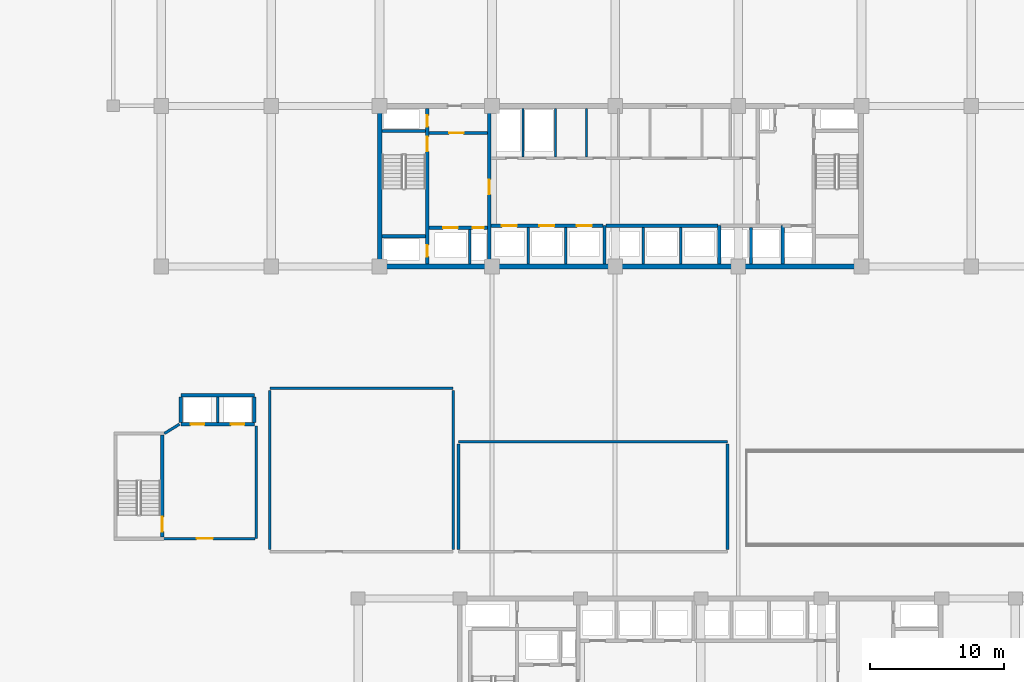
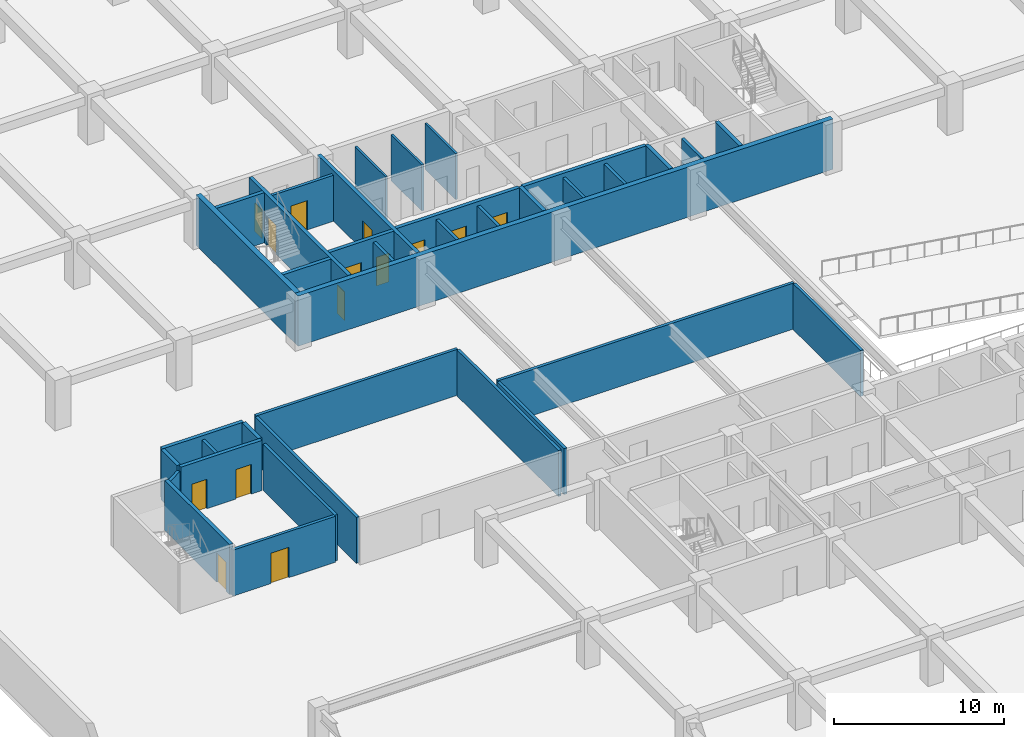
# One storey, part 9 of 22: 37 walls, 14 doors, 14 openings.
"""IFC4 building model written with IfcOpenShell, lengths in metres."""

from ifc_helpers import new_model, si_unit, direction, frame, frame_2d, origin, place, context, subcontext, project, spatial, rectangle, extrude, material, layer, layer_set, type_object, element, fill, save


model = new_model("IFC4")

# Units and contexts
model_context = context("Model", 3, precision=1e-05, world=origin(), true_north=direction((0.0, 1.0)))
body_context = subcontext(model_context, "Body", "Model", "MODEL_VIEW")
ifc_project = project(units=[si_unit("LENGTHUNIT", "METRE"), si_unit("AREAUNIT", "SQUARE_METRE"), si_unit("VOLUMEUNIT", "CUBIC_METRE"), si_unit("PLANEANGLEUNIT", "RADIAN"), si_unit("MASSUNIT", "GRAM", prefix="KILO")], contexts=[model_context])

# Site, building, storey
site_placement = place(None, origin())
site = spatial("IfcSite", under=ifc_project, at=site_placement, CompositionType="ELEMENT")
building_placement = place(site_placement, origin())
building = spatial("IfcBuilding", under=site, at=building_placement, Name="Korimba Cascade Residences", CompositionType="ELEMENT")
storey_placement = place(building_placement, frame((0.0, 0.0, -7.199951171875)))
storey = spatial("IfcBuildingStorey", under=building, at=storey_placement, Name="B02", CompositionType="ELEMENT", Elevation=-7.199951171875)

# Walls
ifc_material_1 = material(Name="Concrete C65/80", Category="concrete")
ifc_layer_1 = layer(ifc_material_1, 0.35009765625)
ifc_layer_set_1 = layer_set([ifc_layer_1], Name="Concrete C65/80")
wall_type_1 = type_object("IfcWallType", Name="WAL-CORE-350", PredefinedType="SHEAR", material=ifc_layer_set_1)
wall_1_placement = place(storey_placement, frame((75.949951171875, 55.199951171875, 0.0), z_axis=(0.0, 0.0, 1.0), x_axis=(1.0, 0.0, 0.0)))
element("IfcWall", 1, at=wall_1_placement, inside=storey, type_object=wall_type_1, Name="B02 Core Shear Wall CW-B02-T1-S", PredefinedType="SHEAR", context=body_context, shape_type="SweptSolid", body=[
    extrude(rectangle(XDim=36.300048828125, YDim=0.35009765625, at=frame_2d((18.14990234375, 0.0))), origin(), (0.0, 0.0, 1.0), 3.599853515625),
])
wall_2_placement = place(storey_placement, frame((76.125, 55.375, 0.0), z_axis=(0.0, 0.0, 1.0), x_axis=(0.0, 1.0, 0.0)))
element("IfcWall", 2, at=wall_2_placement, inside=storey, type_object=wall_type_1, Name="B02 Core Shear Wall CW-B02-T1-W", PredefinedType="SHEAR", context=body_context, shape_type="SweptSolid", body=[
    extrude(rectangle(XDim=11.64990234375, YDim=0.35009765625, at=frame_2d((5.824951171875, 0.0))), origin(), (0.0, 0.0, 1.0), 3.599853515625),
])
ifc_material_2 = material(Name="Insulated Acoustic Stud Partition", Category="gypsum")
ifc_layer_2 = layer(ifc_material_2, 0.14990234375)
ifc_layer_set_2 = layer_set([ifc_layer_2], Name="Insulated Acoustic Stud Partition")
wall_type_2 = type_object("IfcWallType", Name="WAL-PART-150", PredefinedType="PARTITIONING", material=ifc_layer_set_2)
for number, where, z_axis, x_axis, name in (
    (3, (86.800048828125, 63.39990234375, 0.0), (0.0, 0.0, 1.0), (0.0, 1.0, 0.0), "B02 Partition Wall CW-B02-T1-ERDIV"),
    (4, (89.25, 63.39990234375, 0.0), (0.0, 0.0, 1.0), (0.0, 1.0, 0.0), "B02 Partition Wall CW-B02-T1-PRDIV"),
    (5, (91.550048828125, 63.39990234375, 0.0), (0.0, 0.0, 1.0), (0.0, 1.0, 0.0), "B02 Partition Wall CW-B02-T1-CA1W1"),
):
    element("IfcWall", number, at=place(storey_placement, frame(where, z_axis=z_axis, x_axis=x_axis)), inside=storey, type_object=wall_type_2, Name=name, PredefinedType="PARTITIONING", context=body_context, shape_type="SweptSolid", body=[
        extrude(rectangle(XDim=3.60009765625, YDim=0.14990234375, at=frame_2d((1.800048828125, 0.0))), origin(), (0.0, 0.0, 1.0), 3.300048828125),
    ])
ifc_material_3 = material(Name="Concrete C40/50", Category="concrete")
ifc_layer_3 = layer(ifc_material_3, 0.199951171875)
ifc_layer_set_3 = layer_set([ifc_layer_3], Name="Concrete C40/50")
wall_type_3 = type_object("IfcWallType", Name="WAL-PART-200", PredefinedType="PARTITIONING", material=ifc_layer_set_3)
wall_3_placement = place(storey_placement, frame((82.85009765625, 55.39990234375, 0.0), z_axis=(0.0, 0.0, 1.0), x_axis=(0.0, 1.0, 0.0)))
element("IfcWall", 6, at=wall_3_placement, inside=storey, type_object=wall_type_3, Name="B02 Partition Wall CW-B02-T1-FFLDIV", PredefinedType="PARTITIONING", context=body_context, shape_type="SweptSolid", body=[
    extrude(rectangle(XDim=2.56005859375, YDim=0.199951171875, at=frame_2d((1.280029296875, 0.0))), origin(), (0.0, 0.0, 1.0), 3.300048828125),
])

# Wall, opening, door
wall_4_placement = place(storey_placement, frame((79.7900390625, 65.179931640625, 0.0), z_axis=(0.0, 0.0, 1.0), x_axis=(1.0, 0.0, 0.0)))
wall_4 = element("IfcWall", 7, at=wall_4_placement, inside=storey, type_object=wall_type_3, Name="B02 Partition Wall CW-B02-T1-FFLN", PredefinedType="PARTITIONING", context=body_context, shape_type="SweptSolid", body=[
    extrude(rectangle(XDim=4.389892578125, YDim=0.199951171875, at=frame_2d((2.19482421875, 0.0))), origin(), (0.0, 0.0, 1.0), 3.300048828125),
])
opening_1_placement = place(wall_4_placement, frame((1.5, 0.0, 0.0)))
opening_1 = element("IfcOpeningElement", 8, at=opening_1_placement, cuts=wall_4, Name="Opening D-FD1", PredefinedType="OPENING", context=body_context, shape_type="SweptSolid", body=[
    extrude(rectangle(XDim=1.10009765625, YDim=2.10009765625, at=frame_2d((0.550048828125, 1.050048828125))), frame((0.0, 0.10986328125, 0.0), z_axis=(0.0, -1.0, 0.0), x_axis=(1.0, 0.0, 0.0)), (0.0, 0.0, 1.0), 0.219970703125),
])
ifc_material_4 = material(Name="Fire-Rated Steel Core Door", Category="steel")
door_type_1 = type_object("IfcDoorType", Name="DR-FD120-1100", OperationType="NOTDEFINED", PredefinedType="DOOR", material=ifc_material_4)
door_1_placement = place(opening_1_placement, origin())
door_1 = element("IfcDoor", 9, at=door_1_placement, inside=storey, type_object=door_type_1, Name="B02 West Firefighting Lobby Door", OperationType="SINGLE_SWING_LEFT", OverallHeight=2.10009765625, OverallWidth=1.10009765625, PredefinedType="DOOR", context=body_context, shape_type="SweptSolid", body=[
    extrude(rectangle(XDim=1.10009765625, YDim=2.10009765625, at=frame_2d((0.550048828125, 1.050048828125))), frame((0.0, 0.02490234375, 0.0), z_axis=(0.0, -1.0, 0.0), x_axis=(1.0, 0.0, 0.0)), (0.0, 0.0, 1.0), 0.050048828125),
])
fill(opening_1, door_1)

# Walls
for number, where, z_axis, x_axis, name in (
    (10, (87.199951171875, 55.39990234375, 0.0), (0.0, 0.0, 1.0), (0.0, 1.0, 0.0), "B02 Partition Wall CW-B02-T1-B1D1"),
    (11, (90.0, 55.39990234375, 0.0), (0.0, 0.0, 1.0), (0.0, 1.0, 0.0), "B02 Partition Wall CW-B02-T1-B1D2"),
    (12, (95.800048828125, 55.39990234375, 0.0), (0.0, 0.0, 1.0), (0.0, 1.0, 0.0), "B02 Partition Wall CW-B02-T1-B2D1"),
    (13, (98.60009765625, 55.39990234375, 0.0), (0.0, 0.0, 1.0), (0.0, 1.0, 0.0), "B02 Partition Wall CW-B02-T1-B2D2"),
    (14, (103.85009765625, 55.39990234375, 0.0), (0.0, 0.0, 1.0), (0.0, 1.0, 0.0), "B02 Partition Wall CW-B02-T1-B3D1"),
):
    element("IfcWall", number, at=place(storey_placement, frame(where, z_axis=z_axis, x_axis=x_axis)), inside=storey, type_object=wall_type_3, Name=name, PredefinedType="PARTITIONING", context=body_context, shape_type="SweptSolid", body=[
        extrude(rectangle(XDim=2.72021484375, YDim=0.199951171875, at=frame_2d((1.360107421875, 0.0))), origin(), (0.0, 0.0, 1.0), 3.300048828125),
    ])
wall_5_placement = place(storey_placement, frame((64.0, 43.550048828125, 0.0), z_axis=(0.0, 0.0, 1.0), x_axis=(0.0, 1.0, 0.0)))
element("IfcWall", 15, at=wall_5_placement, inside=storey, type_object=wall_type_3, Name="B02 Partition Wall CW-B02-SHPM", PredefinedType="PARTITIONING", context=body_context, shape_type="SweptSolid", body=[
    extrude(rectangle(XDim=1.89990234375, YDim=0.199951171875, at=frame_2d((0.949951171875, 0.0))), origin(), (0.0, 0.0, 1.0), 3.300048828125),
])

# Wall, opening, door
wall_6_placement = place(storey_placement, frame((59.840087890625, 34.875, 0.0), z_axis=(0.0, 0.0, 1.0), x_axis=(1.0, 0.0, 0.0)))
wall_6 = element("IfcWall", 16, at=wall_6_placement, inside=storey, type_object=wall_type_3, Name="B02 Partition Wall CW-B02-PLOBS", PredefinedType="PARTITIONING", context=body_context, shape_type="SweptSolid", body=[
    extrude(rectangle(XDim=6.9599609375, YDim=0.199951171875, at=frame_2d((3.47998046875, 0.0))), origin(), (0.0, 0.0, 1.0), 3.300048828125),
])
opening_2_placement = place(wall_6_placement, frame((2.60009765625, 0.0, 0.0)))
opening_2 = element("IfcOpeningElement", 17, at=opening_2_placement, cuts=wall_6, Name="Opening D-FD7", PredefinedType="OPENING", context=body_context, shape_type="SweptSolid", body=[
    extrude(rectangle(XDim=1.199951171875, YDim=2.179931640625, at=frame_2d((0.60009765625, 1.08984375))), frame((0.0, 0.10986328125, 0.0), z_axis=(0.0, -1.0, 0.0), x_axis=(1.0, 0.0, 0.0)), (0.0, 0.0, 1.0), 0.219970703125),
])
ifc_material_5 = material(Name="Fire-Rated Shuttle Lobby Door", Category="wood")
door_type_2 = type_object("IfcDoorType", Name="DR-FD90-1200", OperationType="NOTDEFINED", PredefinedType="DOOR", material=ifc_material_5)
door_2_placement = place(opening_2_placement, origin())
door_2 = element("IfcDoor", 18, at=door_2_placement, inside=storey, type_object=door_type_2, Name="B02 Shuttle Lobby Door", OperationType="SINGLE_SWING_LEFT", OverallHeight=2.179931640625, OverallWidth=1.199951171875, PredefinedType="DOOR", context=body_context, shape_type="SweptSolid", body=[
    extrude(rectangle(XDim=1.199951171875, YDim=2.179931640625, at=frame_2d((0.60009765625, 1.08984375))), frame((0.0, 0.02490234375, 0.0), z_axis=(0.0, -1.0, 0.0), x_axis=(1.0, 0.0, 0.0)), (0.0, 0.0, 1.0), 0.050048828125),
])
fill(opening_2, door_2)

# Walls
wall_7_placement = place(storey_placement, frame((66.89990234375, 34.875, 0.0), z_axis=(0.0, 0.0, 1.0), x_axis=(0.0, 1.0, 0.0)))
element("IfcWall", 19, at=wall_7_placement, inside=storey, type_object=wall_type_3, Name="B02 Partition Wall CW-B02-PLOBE", PredefinedType="PARTITIONING", context=body_context, shape_type="SweptSolid", body=[
    extrude(rectangle(XDim=8.425048828125, YDim=0.199951171875, at=frame_2d((4.21240234375, 0.0))), origin(), (0.0, 0.0, 1.0), 3.300048828125),
])
wall_8_placement = place(storey_placement, frame((60.02001953125, 42.72509765625, 0.0), z_axis=(0.0, 0.0, 1.0), x_axis=(0.851822584555, 0.523830396638, 0.0)))
element("IfcWall", 20, at=wall_8_placement, inside=storey, type_object=wall_type_3, Name="B02 Partition Wall CW-B02-PLOBN", PredefinedType="PARTITIONING", context=body_context, shape_type="SweptSolid", body=[
    extrude(rectangle(XDim=1.326416015625, YDim=0.199951171875, at=frame_2d((0.6630859375, 0.0))), origin(), (0.0, 0.0, 1.0), 3.300048828125),
])
wall_9_placement = place(storey_placement, frame((67.89990234375, 46.10009765625, 0.0), z_axis=(0.0, 0.0, 1.0), x_axis=(1.0, 0.0, 0.0)))
element("IfcWall", 21, at=wall_9_placement, inside=storey, type_object=wall_type_3, Name="B02 Partition Wall WAL-B02-PMPN", PredefinedType="PARTITIONING", context=body_context, shape_type="SweptSolid", body=[
    extrude(rectangle(XDim=13.7001953125, YDim=0.199951171875, at=frame_2d((6.85009765625, 0.0))), origin(), (0.0, 0.0, 1.0), 3.300048828125),
])
for number, where, z_axis, x_axis, name in (
    (22, (67.89990234375, 34.050048828125, 0.0), (0.0, 0.0, 1.0), (0.0, 1.0, 0.0), "B02 Partition Wall WAL-B02-PMPW"),
    (23, (81.60009765625, 34.050048828125, 0.0), (0.0, 0.0, 1.0), (0.0, 1.0, 0.0), "B02 Partition Wall WAL-B02-PMPE"),
):
    element("IfcWall", number, at=place(storey_placement, frame(where, z_axis=z_axis, x_axis=x_axis)), inside=storey, type_object=wall_type_3, Name=name, PredefinedType="PARTITIONING", context=body_context, shape_type="SweptSolid", body=[
        extrude(rectangle(XDim=11.89990234375, YDim=0.199951171875, at=frame_2d((5.949951171875, 0.0))), origin(), (0.0, 0.0, 1.0), 3.300048828125),
    ])
wall_10_placement = place(storey_placement, frame((82.0, 42.10009765625, 0.0), z_axis=(0.0, 0.0, 1.0), x_axis=(1.0, 0.0, 0.0)))
element("IfcWall", 24, at=wall_10_placement, inside=storey, type_object=wall_type_3, Name="B02 Partition Wall WAL-B02-HVSN", PredefinedType="PARTITIONING", context=body_context, shape_type="SweptSolid", body=[
    extrude(rectangle(XDim=20.10009765625, YDim=0.199951171875, at=frame_2d((10.050048828125, 0.0))), origin(), (0.0, 0.0, 1.0), 3.300048828125),
])
for number, where, z_axis, x_axis, name in (
    (25, (82.0, 34.050048828125, 0.0), (0.0, 0.0, 1.0), (0.0, 1.0, 0.0), "B02 Partition Wall WAL-B02-HVSW"),
    (26, (102.10009765625, 34.050048828125, 0.0), (0.0, 0.0, 1.0), (0.0, 1.0, 0.0), "B02 Partition Wall WAL-B02-HVSE"),
):
    element("IfcWall", number, at=place(storey_placement, frame(where, z_axis=z_axis, x_axis=x_axis)), inside=storey, type_object=wall_type_3, Name=name, PredefinedType="PARTITIONING", context=body_context, shape_type="SweptSolid", body=[
        extrude(rectangle(XDim=7.89990234375, YDim=0.199951171875, at=frame_2d((3.949951171875, 0.0))), origin(), (0.0, 0.0, 1.0), 3.300048828125),
    ])

# Wall, openings, doors
ifc_material_6 = material(Name="Concrete C50/60", Category="concrete")
ifc_layer_4 = layer(ifc_material_6, 0.25)
ifc_layer_set_4 = layer_set([ifc_layer_4], Name="Concrete C50/60")
wall_type_4 = type_object("IfcWallType", Name="WAL-SHAFT-250", PredefinedType="SHEAR", material=ifc_layer_set_4)
wall_11_placement = place(storey_placement, frame((79.6650390625, 55.39990234375, 0.0), z_axis=(0.0, 0.0, 1.0), x_axis=(0.0, 1.0, 0.0)))
wall_11 = element("IfcWall", 27, at=wall_11_placement, inside=storey, type_object=wall_type_4, Name="B02 Core Shear Wall CW-B02-T1-STW1E", PredefinedType="SHEAR", context=body_context, shape_type="SweptSolid", body=[
    extrude(rectangle(XDim=11.60009765625, YDim=0.25, at=frame_2d((5.800048828125, 0.0))), origin(), (0.0, 0.0, 1.0), 3.599853515625),
])
opening_3_placement = place(wall_11_placement, frame((0.550048828125, 0.0, 0.0)))
opening_3 = element("IfcOpeningElement", 28, at=opening_3_placement, cuts=wall_11, Name="Opening D-RS1", PredefinedType="OPENING", context=body_context, shape_type="SweptSolid", body=[
    extrude(rectangle(XDim=0.85009765625, YDim=2.050048828125, at=frame_2d((0.425048828125, 1.02490234375))), frame((0.0, 0.135009765625, 0.0), z_axis=(0.0, -1.0, 0.0), x_axis=(1.0, 0.0, 0.0)), (0.0, 0.0, 1.0), 0.27001953125),
])
opening_4_placement = place(wall_11_placement, frame((8.39990234375, 0.0, 0.0)))
opening_4 = element("IfcOpeningElement", 29, at=opening_4_placement, cuts=wall_11, Name="Opening D-FD1", PredefinedType="OPENING", context=body_context, shape_type="SweptSolid", body=[
    extrude(rectangle(XDim=1.10009765625, YDim=2.10009765625, at=frame_2d((0.550048828125, 1.050048828125))), frame((0.0, 0.135009765625, 0.0), z_axis=(0.0, -1.0, 0.0), x_axis=(1.0, 0.0, 0.0)), (0.0, 0.0, 1.0), 0.27001953125),
])
opening_5_placement = place(wall_11_placement, frame((10.25, 0.0, 0.0)))
opening_5 = element("IfcOpeningElement", 30, at=opening_5_placement, cuts=wall_11, Name="Opening D-RS1", PredefinedType="OPENING", context=body_context, shape_type="SweptSolid", body=[
    extrude(rectangle(XDim=0.85009765625, YDim=2.050048828125, at=frame_2d((0.425048828125, 1.02490234375))), frame((0.0, 0.135009765625, 0.0), z_axis=(0.0, -1.0, 0.0), x_axis=(1.0, 0.0, 0.0)), (0.0, 0.0, 1.0), 0.27001953125),
])
door_3_placement = place(opening_4_placement, origin())
door_3 = element("IfcDoor", 31, at=door_3_placement, inside=storey, type_object=door_type_1, Name="B02 Fire Stair ST-W1 Door", OperationType="SINGLE_SWING_RIGHT", OverallHeight=2.10009765625, OverallWidth=1.10009765625, PredefinedType="DOOR", context=body_context, shape_type="SweptSolid", body=[
    extrude(rectangle(XDim=1.10009765625, YDim=2.10009765625, at=frame_2d((0.550048828125, 1.050048828125))), frame((0.0, 0.02490234375, 0.0), z_axis=(0.0, -1.0, 0.0), x_axis=(1.0, 0.0, 0.0)), (0.0, 0.0, 1.0), 0.050048828125),
])
fill(opening_4, door_3)
ifc_material_7 = material(Name="Fire-Rated Steel Riser Access Door", Category="steel")
door_type_3 = type_object("IfcDoorType", Name="DR-FD60-850", OperationType="NOTDEFINED", PredefinedType="DOOR", material=ifc_material_7)
door_4_placement = place(opening_3_placement, origin())
door_4 = element("IfcDoor", 32, at=door_4_placement, inside=storey, type_object=door_type_3, Name="B02 Smoke Riser Access Door", OperationType="SINGLE_SWING_LEFT", OverallHeight=2.050048828125, OverallWidth=0.85009765625, PredefinedType="DOOR", context=body_context, shape_type="SweptSolid", body=[
    extrude(rectangle(XDim=0.85009765625, YDim=2.050048828125, at=frame_2d((0.425048828125, 1.02490234375))), frame((0.0, 0.02490234375, 0.0), z_axis=(0.0, -1.0, 0.0), x_axis=(1.0, 0.0, 0.0)), (0.0, 0.0, 1.0), 0.050048828125),
])
fill(opening_3, door_4)
door_5_placement = place(opening_5_placement, origin())
door_5 = element("IfcDoor", 33, at=door_5_placement, inside=storey, type_object=door_type_3, Name="B02 Hydrant Riser Access Door", OperationType="SINGLE_SWING_LEFT", OverallHeight=2.050048828125, OverallWidth=0.85009765625, PredefinedType="DOOR", context=body_context, shape_type="SweptSolid", body=[
    extrude(rectangle(XDim=0.85009765625, YDim=2.050048828125, at=frame_2d((0.425048828125, 1.02490234375))), frame((0.0, 0.02490234375, 0.0), z_axis=(0.0, -1.0, 0.0), x_axis=(1.0, 0.0, 0.0)), (0.0, 0.0, 1.0), 0.050048828125),
])
fill(opening_5, door_5)

# Walls
for number, where, z_axis, x_axis, name in (
    (34, (76.300048828125, 57.47509765625, 0.0), (0.0, 0.0, 1.0), (1.0, 0.0, 0.0), "B02 Core Shear Wall CW-B02-T1-STW1S"),
    (35, (76.300048828125, 65.324951171875, 0.0), (0.0, 0.0, 1.0), (1.0, 0.0, 0.0), "B02 Core Shear Wall CW-B02-T1-STW1N"),
):
    element("IfcWall", number, at=place(storey_placement, frame(where, z_axis=z_axis, x_axis=x_axis)), inside=storey, type_object=wall_type_4, Name=name, PredefinedType="SHEAR", context=body_context, shape_type="SweptSolid", body=[
        extrude(rectangle(XDim=3.239990234375, YDim=0.25, at=frame_2d((1.6201171875, 0.0))), origin(), (0.0, 0.0, 1.0), 3.599853515625),
    ])

# Wall, openings, doors
wall_12_placement = place(storey_placement, frame((79.7900390625, 58.10009765625, 0.0), z_axis=(0.0, 0.0, 1.0), x_axis=(1.0, 0.0, 0.0)))
wall_12 = element("IfcWall", 36, at=wall_12_placement, inside=storey, type_object=wall_type_4, Name="B02 Core Shear Wall CW-B02-T1-FFLS", PredefinedType="SHEAR", context=body_context, shape_type="SweptSolid", body=[
    extrude(rectangle(XDim=4.389892578125, YDim=0.25, at=frame_2d((2.19482421875, 0.0))), origin(), (0.0, 0.0, 1.0), 3.599853515625),
])
opening_6_placement = place(wall_12_placement, frame((1.050048828125, 0.0, 0.0)))
opening_6 = element("IfcOpeningElement", 37, at=opening_6_placement, cuts=wall_12, Name="Opening LD-01", PredefinedType="OPENING", context=body_context, shape_type="SweptSolid", body=[
    extrude(rectangle(XDim=1.1201171875, YDim=2.1201171875, at=frame_2d((0.56005859375, 1.06005859375))), frame((0.0, 0.135009765625, 0.0), z_axis=(0.0, -1.0, 0.0), x_axis=(1.0, 0.0, 0.0)), (0.0, 0.0, 1.0), 0.27001953125),
])
opening_7_placement = place(wall_12_placement, frame((3.260009765625, 0.0, 0.0)))
opening_7 = element("IfcOpeningElement", 38, at=opening_7_placement, cuts=wall_12, Name="Opening D-RS1", PredefinedType="OPENING", context=body_context, shape_type="SweptSolid", body=[
    extrude(rectangle(XDim=0.85009765625, YDim=2.050048828125, at=frame_2d((0.425048828125, 1.02490234375))), frame((0.0, 0.135009765625, 0.0), z_axis=(0.0, -1.0, 0.0), x_axis=(1.0, 0.0, 0.0)), (0.0, 0.0, 1.0), 0.27001953125),
])
door_6_placement = place(opening_7_placement, origin())
door_6 = element("IfcDoor", 39, at=door_6_placement, inside=storey, type_object=door_type_3, Name="B02 Pressurisation Riser Door", OperationType="SINGLE_SWING_RIGHT", OverallHeight=2.050048828125, OverallWidth=0.85009765625, PredefinedType="DOOR", context=body_context, shape_type="SweptSolid", body=[
    extrude(rectangle(XDim=0.85009765625, YDim=2.050048828125, at=frame_2d((0.425048828125, 1.02490234375))), frame((0.0, 0.02490234375, 0.0), z_axis=(0.0, -1.0, 0.0), x_axis=(1.0, 0.0, 0.0)), (0.0, 0.0, 1.0), 0.050048828125),
])
fill(opening_7, door_6)
ifc_material_8 = material(Name="Stainless Steel Lift Landing Sliding Door", Category="steel")
door_type_4 = type_object("IfcDoorType", Name="DR-LIFT-1100", OperationType="NOTDEFINED", PredefinedType="DOOR", material=ifc_material_8)
door_7_placement = place(opening_6_placement, origin())
door_7 = element("IfcDoor", 40, at=door_7_placement, inside=storey, type_object=door_type_4, Name="B02 Firefighting Lift Landing Door FFL-W1", OperationType="SLIDING_TO_LEFT", OverallHeight=2.1201171875, OverallWidth=1.1201171875, PredefinedType="DOOR", context=body_context, shape_type="SweptSolid", body=[
    extrude(rectangle(XDim=1.1201171875, YDim=2.1201171875, at=frame_2d((0.56005859375, 1.06005859375))), frame((0.0, 0.02490234375, 0.0), z_axis=(0.0, -1.0, 0.0), x_axis=(1.0, 0.0, 0.0)), (0.0, 0.0, 1.0), 0.050048828125),
])
fill(opening_6, door_7)

# Wall, opening, door
wall_13_placement = place(storey_placement, frame((84.300048828125, 55.39990234375, 0.0), z_axis=(0.0, 0.0, 1.0), x_axis=(0.0, 1.0, 0.0)))
wall_13 = element("IfcWall", 41, at=wall_13_placement, inside=storey, type_object=wall_type_4, Name="B02 Core Shear Wall CW-B02-T1-FFLE", PredefinedType="SHEAR", context=body_context, shape_type="SweptSolid", body=[
    extrude(rectangle(XDim=11.60009765625, YDim=0.25, at=frame_2d((5.800048828125, 0.0))), origin(), (0.0, 0.0, 1.0), 3.599853515625),
])
opening_8_placement = place(wall_13_placement, frame((5.199951171875, 0.0, 0.0)))
opening_8 = element("IfcOpeningElement", 42, at=opening_8_placement, cuts=wall_13, Name="Opening D-FD1", PredefinedType="OPENING", context=body_context, shape_type="SweptSolid", body=[
    extrude(rectangle(XDim=1.10009765625, YDim=2.10009765625, at=frame_2d((0.550048828125, 1.050048828125))), frame((0.0, 0.135009765625, 0.0), z_axis=(0.0, -1.0, 0.0), x_axis=(1.0, 0.0, 0.0)), (0.0, 0.0, 1.0), 0.27001953125),
])
door_8_placement = place(opening_8_placement, origin())
door_8 = element("IfcDoor", 43, at=door_8_placement, inside=storey, type_object=door_type_1, Name="B02 Firefighting Lobby to Lift Lobby Door", OperationType="SINGLE_SWING_RIGHT", OverallHeight=2.10009765625, OverallWidth=1.10009765625, PredefinedType="DOOR", context=body_context, shape_type="SweptSolid", body=[
    extrude(rectangle(XDim=1.10009765625, YDim=2.10009765625, at=frame_2d((0.550048828125, 1.050048828125))), frame((0.0, 0.02490234375, 0.0), z_axis=(0.0, -1.0, 0.0), x_axis=(1.0, 0.0, 0.0)), (0.0, 0.0, 1.0), 0.050048828125),
])
fill(opening_8, door_8)

# Wall, openings, doors
wall_14_placement = place(storey_placement, frame((84.419921875, 58.25, 0.0), z_axis=(0.0, 0.0, 1.0), x_axis=(1.0, 0.0, 0.0)))
wall_14 = element("IfcWall", 44, at=wall_14_placement, inside=storey, type_object=wall_type_4, Name="B02 Core Shear Wall CW-B02-T1-B1N", PredefinedType="SHEAR", context=body_context, shape_type="SweptSolid", body=[
    extrude(rectangle(XDim=8.360107421875, YDim=0.25, at=frame_2d((4.18017578125, 0.0))), origin(), (0.0, 0.0, 1.0), 3.599853515625),
])
opening_9_placement = place(wall_14_placement, frame((0.820068359375, 0.0, 0.0)))
opening_9 = element("IfcOpeningElement", 45, at=opening_9_placement, cuts=wall_14, Name="Opening LD-01", PredefinedType="OPENING", context=body_context, shape_type="SweptSolid", body=[
    extrude(rectangle(XDim=1.1201171875, YDim=2.1201171875, at=frame_2d((0.56005859375, 1.06005859375))), frame((0.0, 0.135009765625, 0.0), z_axis=(0.0, -1.0, 0.0), x_axis=(1.0, 0.0, 0.0)), (0.0, 0.0, 1.0), 0.27001953125),
])
opening_10_placement = place(wall_14_placement, frame((3.6201171875, 0.0, 0.0)))
opening_10 = element("IfcOpeningElement", 46, at=opening_10_placement, cuts=wall_14, Name="Opening LD-01", PredefinedType="OPENING", context=body_context, shape_type="SweptSolid", body=[
    extrude(rectangle(XDim=1.1201171875, YDim=2.1201171875, at=frame_2d((0.56005859375, 1.06005859375))), frame((0.0, 0.135009765625, 0.0), z_axis=(0.0, -1.0, 0.0), x_axis=(1.0, 0.0, 0.0)), (0.0, 0.0, 1.0), 0.27001953125),
])
opening_11_placement = place(wall_14_placement, frame((6.419921875, 0.0, 0.0)))
opening_11 = element("IfcOpeningElement", 47, at=opening_11_placement, cuts=wall_14, Name="Opening LD-01", PredefinedType="OPENING", context=body_context, shape_type="SweptSolid", body=[
    extrude(rectangle(XDim=1.1201171875, YDim=2.1201171875, at=frame_2d((0.56005859375, 1.06005859375))), frame((0.0, 0.135009765625, 0.0), z_axis=(0.0, -1.0, 0.0), x_axis=(1.0, 0.0, 0.0)), (0.0, 0.0, 1.0), 0.27001953125),
])
door_9_placement = place(opening_9_placement, origin())
door_9 = element("IfcDoor", 48, at=door_9_placement, inside=storey, type_object=door_type_4, Name="B02 Lift Landing Door PL-W1", OperationType="SLIDING_TO_LEFT", OverallHeight=2.1201171875, OverallWidth=1.1201171875, PredefinedType="DOOR", context=body_context, shape_type="SweptSolid", body=[
    extrude(rectangle(XDim=1.1201171875, YDim=2.1201171875, at=frame_2d((0.56005859375, 1.06005859375))), frame((0.0, 0.02490234375, 0.0), z_axis=(0.0, -1.0, 0.0), x_axis=(1.0, 0.0, 0.0)), (0.0, 0.0, 1.0), 0.050048828125),
])
fill(opening_9, door_9)
door_10_placement = place(opening_10_placement, origin())
door_10 = element("IfcDoor", 49, at=door_10_placement, inside=storey, type_object=door_type_4, Name="B02 Lift Landing Door PL-W2", OperationType="SLIDING_TO_LEFT", OverallHeight=2.1201171875, OverallWidth=1.1201171875, PredefinedType="DOOR", context=body_context, shape_type="SweptSolid", body=[
    extrude(rectangle(XDim=1.1201171875, YDim=2.1201171875, at=frame_2d((0.56005859375, 1.06005859375))), frame((0.0, 0.02490234375, 0.0), z_axis=(0.0, -1.0, 0.0), x_axis=(1.0, 0.0, 0.0)), (0.0, 0.0, 1.0), 0.050048828125),
])
fill(opening_10, door_10)
door_11_placement = place(opening_11_placement, origin())
door_11 = element("IfcDoor", 50, at=door_11_placement, inside=storey, type_object=door_type_4, Name="B02 Lift Landing Door PL-W3", OperationType="SLIDING_TO_LEFT", OverallHeight=2.1201171875, OverallWidth=1.1201171875, PredefinedType="DOOR", context=body_context, shape_type="SweptSolid", body=[
    extrude(rectangle(XDim=1.1201171875, YDim=2.1201171875, at=frame_2d((0.56005859375, 1.06005859375))), frame((0.0, 0.02490234375, 0.0), z_axis=(0.0, -1.0, 0.0), x_axis=(1.0, 0.0, 0.0)), (0.0, 0.0, 1.0), 0.050048828125),
])
fill(opening_11, door_11)

# Walls
wall_15_placement = place(storey_placement, frame((92.89990234375, 55.39990234375, 0.0), z_axis=(0.0, 0.0, 1.0), x_axis=(0.0, 1.0, 0.0)))
element("IfcWall", 51, at=wall_15_placement, inside=storey, type_object=wall_type_4, Name="B02 Core Shear Wall CW-B02-T1-B12DIV", PredefinedType="SHEAR", context=body_context, shape_type="SweptSolid", body=[
    extrude(rectangle(XDim=2.85009765625, YDim=0.25, at=frame_2d((1.425048828125, 0.0))), origin(), (0.0, 0.0, 1.0), 3.599853515625),
])
wall_16_placement = place(storey_placement, frame((93.02001953125, 58.25, 0.0), z_axis=(0.0, 0.0, 1.0), x_axis=(1.0, 0.0, 0.0)))
element("IfcWall", 52, at=wall_16_placement, inside=storey, type_object=wall_type_4, Name="B02 Core Shear Wall CW-B02-T1-B2N", PredefinedType="SHEAR", context=body_context, shape_type="SweptSolid", body=[
    extrude(rectangle(XDim=8.35986328125, YDim=0.25, at=frame_2d((4.179931640625, 0.0))), origin(), (0.0, 0.0, 1.0), 3.599853515625),
])
for number, where, z_axis, x_axis, name in (
    (53, (101.47998046875, 55.39990234375, 0.0), (0.0, 0.0, 1.0), (0.0, 1.0, 0.0), "B02 Core Shear Wall CW-B02-T1-B23DIV"),
    (54, (106.219970703125, 55.39990234375, 0.0), (0.0, 0.0, 1.0), (0.0, 1.0, 0.0), "B02 Core Shear Wall CW-B02-T1-FF2W"),
):
    element("IfcWall", number, at=place(storey_placement, frame(where, z_axis=z_axis, x_axis=x_axis)), inside=storey, type_object=wall_type_4, Name=name, PredefinedType="SHEAR", context=body_context, shape_type="SweptSolid", body=[
        extrude(rectangle(XDim=2.85009765625, YDim=0.25, at=frame_2d((1.425048828125, 0.0))), origin(), (0.0, 0.0, 1.0), 3.599853515625),
    ])

# Wall, opening, door
wall_17_placement = place(storey_placement, frame((59.864990234375, 35.0, 0.0), z_axis=(0.0, 0.0, 1.0), x_axis=(0.0, 1.0, 0.0)))
wall_17 = element("IfcWall", 55, at=wall_17_placement, inside=storey, type_object=wall_type_4, Name="B02 Core Shear Wall CW-B02-STP1E", PredefinedType="SHEAR", context=body_context, shape_type="SweptSolid", body=[
    extrude(rectangle(XDim=7.60009765625, YDim=0.25, at=frame_2d((3.800048828125, 0.0))), origin(), (0.0, 0.0, 1.0), 3.599853515625),
])
opening_12_placement = place(wall_17_placement, frame((0.39990234375, 0.0, 0.0)))
opening_12 = element("IfcOpeningElement", 56, at=opening_12_placement, cuts=wall_17, Name="Opening D-FD1", PredefinedType="OPENING", context=body_context, shape_type="SweptSolid", body=[
    extrude(rectangle(XDim=1.10009765625, YDim=2.10009765625, at=frame_2d((0.550048828125, 1.050048828125))), frame((0.0, 0.135009765625, 0.0), z_axis=(0.0, -1.0, 0.0), x_axis=(1.0, 0.0, 0.0)), (0.0, 0.0, 1.0), 0.27001953125),
])
door_12_placement = place(opening_12_placement, origin())
door_12 = element("IfcDoor", 57, at=door_12_placement, inside=storey, type_object=door_type_1, Name="B02 Podium Stair ST-P1 Door", OperationType="SINGLE_SWING_RIGHT", OverallHeight=2.10009765625, OverallWidth=1.10009765625, PredefinedType="DOOR", context=body_context, shape_type="SweptSolid", body=[
    extrude(rectangle(XDim=1.10009765625, YDim=2.10009765625, at=frame_2d((0.550048828125, 1.050048828125))), frame((0.0, 0.02490234375, 0.0), z_axis=(0.0, -1.0, 0.0), x_axis=(1.0, 0.0, 0.0)), (0.0, 0.0, 1.0), 0.050048828125),
])
fill(opening_12, door_12)

# Wall, openings, doors
wall_18_placement = place(storey_placement, frame((61.25, 43.419921875, 0.0), z_axis=(0.0, 0.0, 1.0), x_axis=(1.0, 0.0, 0.0)))
wall_18 = element("IfcWall", 58, at=wall_18_placement, inside=storey, type_object=wall_type_4, Name="B02 Core Shear Wall CW-B02-SHPS", PredefinedType="SHEAR", context=body_context, shape_type="SweptSolid", body=[
    extrude(rectangle(XDim=5.5, YDim=0.25, at=frame_2d((2.75, 0.0))), origin(), (0.0, 0.0, 1.0), 3.599853515625),
])
opening_13_placement = place(wall_18_placement, frame((0.739990234375, 0.0, 0.0)))
opening_13 = element("IfcOpeningElement", 59, at=opening_13_placement, cuts=wall_18, Name="Opening LD-02", PredefinedType="OPENING", context=body_context, shape_type="SweptSolid", body=[
    extrude(rectangle(XDim=1.02001953125, YDim=2.1201171875, at=frame_2d((0.510009765625, 1.06005859375))), frame((0.0, 0.135009765625, 0.0), z_axis=(0.0, -1.0, 0.0), x_axis=(1.0, 0.0, 0.0)), (0.0, 0.0, 1.0), 0.27001953125),
])
opening_14_placement = place(wall_18_placement, frame((3.739990234375, 0.0, 0.0)))
opening_14 = element("IfcOpeningElement", 60, at=opening_14_placement, cuts=wall_18, Name="Opening LD-02", PredefinedType="OPENING", context=body_context, shape_type="SweptSolid", body=[
    extrude(rectangle(XDim=1.02001953125, YDim=2.1201171875, at=frame_2d((0.510009765625, 1.06005859375))), frame((0.0, 0.135009765625, 0.0), z_axis=(0.0, -1.0, 0.0), x_axis=(1.0, 0.0, 0.0)), (0.0, 0.0, 1.0), 0.27001953125),
])
ifc_material_9 = material(Name="Stainless Steel Shuttle Lift Landing Door", Category="steel")
door_type_5 = type_object("IfcDoorType", Name="DR-LIFT-1000", OperationType="NOTDEFINED", PredefinedType="DOOR", material=ifc_material_9)
door_13_placement = place(opening_13_placement, origin())
door_13 = element("IfcDoor", 61, at=door_13_placement, inside=storey, type_object=door_type_5, Name="B02 Shuttle Lift Landing Door PL-P1", OperationType="SLIDING_TO_LEFT", OverallHeight=2.1201171875, OverallWidth=1.02001953125, PredefinedType="DOOR", context=body_context, shape_type="SweptSolid", body=[
    extrude(rectangle(XDim=1.02001953125, YDim=2.1201171875, at=frame_2d((0.510009765625, 1.06005859375))), frame((0.0, 0.02490234375, 0.0), z_axis=(0.0, -1.0, 0.0), x_axis=(1.0, 0.0, 0.0)), (0.0, 0.0, 1.0), 0.050048828125),
])
fill(opening_13, door_13)
door_14_placement = place(opening_14_placement, origin())
door_14 = element("IfcDoor", 62, at=door_14_placement, inside=storey, type_object=door_type_5, Name="B02 Shuttle Lift Landing Door PL-P2", OperationType="SLIDING_TO_RIGHT", OverallHeight=2.1201171875, OverallWidth=1.02001953125, PredefinedType="DOOR", context=body_context, shape_type="SweptSolid", body=[
    extrude(rectangle(XDim=1.02001953125, YDim=2.1201171875, at=frame_2d((0.510009765625, 1.06005859375))), frame((0.0, 0.02490234375, 0.0), z_axis=(0.0, -1.0, 0.0), x_axis=(1.0, 0.0, 0.0)), (0.0, 0.0, 1.0), 0.050048828125),
])
fill(opening_14, door_14)

# Walls
wall_19_placement = place(storey_placement, frame((61.25, 45.580078125, 0.0), z_axis=(0.0, 0.0, 1.0), x_axis=(1.0, 0.0, 0.0)))
element("IfcWall", 63, at=wall_19_placement, inside=storey, type_object=wall_type_4, Name="B02 Core Shear Wall CW-B02-SHPN", PredefinedType="SHEAR", context=body_context, shape_type="SweptSolid", body=[
    extrude(rectangle(XDim=5.5, YDim=0.25, at=frame_2d((2.75, 0.0))), origin(), (0.0, 0.0, 1.0), 3.599853515625),
])
for number, where, z_axis, x_axis, name in (
    (64, (61.25, 43.550048828125, 0.0), (0.0, 0.0, 1.0), (0.0, 1.0, 0.0), "B02 Core Shear Wall CW-B02-SHPW"),
    (65, (66.75, 43.550048828125, 0.0), (0.0, 0.0, 1.0), (0.0, 1.0, 0.0), "B02 Core Shear Wall CW-B02-SHPE"),
):
    element("IfcWall", number, at=place(storey_placement, frame(where, z_axis=z_axis, x_axis=x_axis)), inside=storey, type_object=wall_type_4, Name=name, PredefinedType="SHEAR", context=body_context, shape_type="SweptSolid", body=[
        extrude(rectangle(XDim=1.89990234375, YDim=0.25, at=frame_2d((0.949951171875, 0.0))), origin(), (0.0, 0.0, 1.0), 3.599853515625),
    ])

save(model, "model.ifc")
